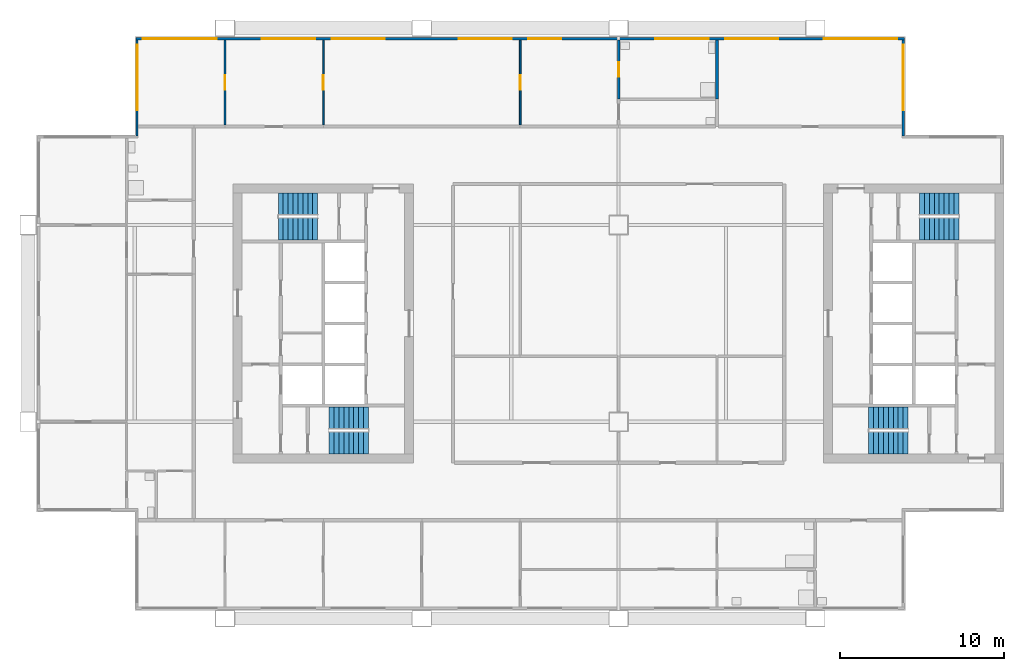
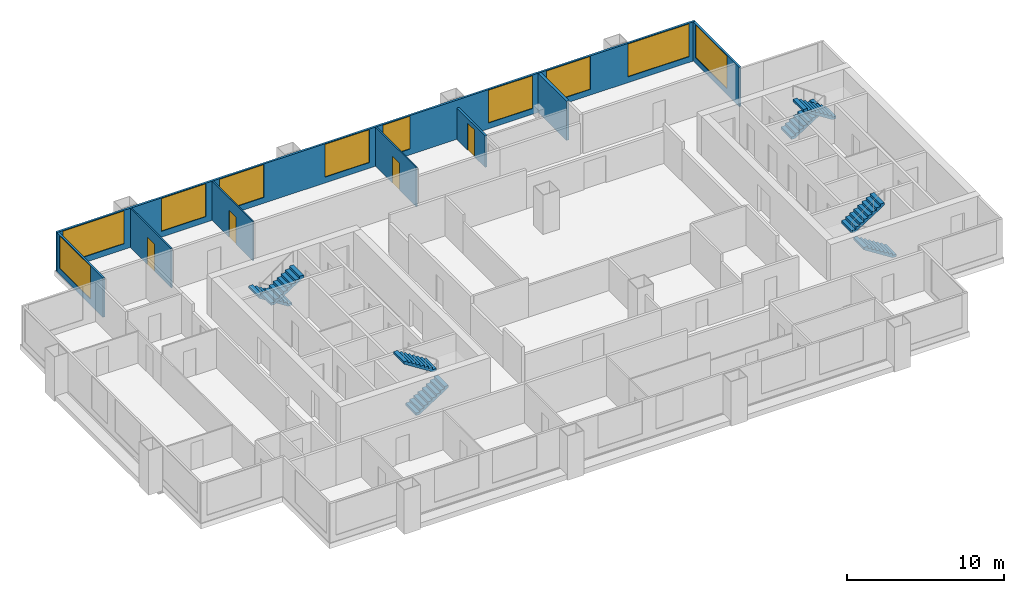
# One storey, part 6 of 8: 10 windows, 8 stair flights, 8 walls, 4 doors, 14 openings, 4 elements without a shape of their own.
"""IFC4 building model written with IfcOpenShell, lengths in metres."""

from ifc_helpers import new_model, si_unit, direction, frame, frame_2d, origin, place, context, subcontext, project, spatial, polyline, rectangle, outline, extrude, material, layer, layer_set, type_object, element, fill, aggregate, save


model = new_model("IFC4")

# Units and contexts
model_context = context("Model", 3, precision=1e-05, world=origin(), true_north=direction((0.0, 1.0)))
body_context = subcontext(model_context, "Body", "Model", "MODEL_VIEW")
ifc_project = project(units=[si_unit("LENGTHUNIT", "METRE"), si_unit("AREAUNIT", "SQUARE_METRE"), si_unit("VOLUMEUNIT", "CUBIC_METRE"), si_unit("PLANEANGLEUNIT", "RADIAN"), si_unit("MASSUNIT", "GRAM", prefix="KILO")], contexts=[model_context])

# Site, building, storey
site_placement = place(None, origin())
site = spatial("IfcSite", under=ifc_project, at=site_placement, CompositionType="ELEMENT")
building_placement = place(site_placement, origin())
building = spatial("IfcBuilding", under=site, at=building_placement, Name="Kitamizu Gate Tower and Museum", CompositionType="ELEMENT")
storey_placement = place(building_placement, frame((0.0, 0.0, 189.300048828125)))
storey = spatial("IfcBuildingStorey", under=building, at=storey_placement, Name="L50", CompositionType="ELEMENT", Elevation=189.300048828125)

# Wall, opening, door
ifc_material_1 = material(Name="Gypsum board on galvanised stud")
ifc_layer_1 = layer(ifc_material_1, 0.10009765625)
ifc_layer_set_1 = layer_set([ifc_layer_1], Name="Gypsum board on galvanised stud")
wall_type_1 = type_object("IfcWallType", Name="Partition 100 NOT RATED", PredefinedType="PARTITIONING", material=ifc_layer_set_1)
wall_1_placement = place(storey_placement, frame((12.0, 42.10009765625, 0.0), z_axis=(0.0, 0.0, 1.0), x_axis=(0.0, 1.0, 0.0)))
wall_1 = element("IfcWall", 1, at=wall_1_placement, inside=storey, type_object=wall_type_1, Name="Partition L50-023", PredefinedType="PARTITIONING", context=body_context, shape_type="SweptSolid", body=[
    extrude(rectangle(XDim=5.179931640625, YDim=0.10009765625, at=frame_2d((2.58984375, 0.0))), origin(), (0.0, 0.0, 1.0), 3.050048828125),
])
opening_1_placement = place(wall_1_placement, frame((2.139892578125, 0.0, 0.0)))
opening_1 = element("IfcOpeningElement", 2, at=opening_1_placement, cuts=wall_1, Name="Opening L50-014", PredefinedType="OPENING", context=body_context, shape_type="SweptSolid", body=[
    extrude(rectangle(XDim=0.89990234375, YDim=2.10009765625, at=frame_2d((0.449951171875, 1.050048828125))), frame((0.0, 0.06005859375, 0.0), z_axis=(0.0, -1.0, 0.0), x_axis=(1.0, 0.0, 0.0)), (0.0, 0.0, 1.0), 0.1201171875),
])
ifc_material_2 = material(Name="Timber door set", Category="wood")
door_type_1 = type_object("IfcDoorType", Name="Room door 900", OperationType="NOTDEFINED", PredefinedType="DOOR", material=ifc_material_2)
door_1_placement = place(opening_1_placement, origin())
door_1 = element("IfcDoor", 3, at=door_1_placement, inside=storey, type_object=door_type_1, Name="Door L50-014", OperationType="SINGLE_SWING_LEFT", OverallHeight=2.10009765625, OverallWidth=0.89990234375, PredefinedType="DOOR", context=body_context, shape_type="SweptSolid", body=[
    extrude(rectangle(XDim=0.89990234375, YDim=2.10009765625, at=frame_2d((0.449951171875, 1.050048828125))), frame((0.0, 0.02490234375, 0.0), z_axis=(0.0, -1.0, 0.0), x_axis=(1.0, 0.0, 0.0)), (0.0, 0.0, 1.0), 0.050048828125),
])
fill(opening_1, door_1)

wall_2_placement = place(storey_placement, frame((18.0, 42.10009765625, 0.0), z_axis=(0.0, 0.0, 1.0), x_axis=(0.0, 1.0, 0.0)))
wall_2 = element("IfcWall", 4, at=wall_2_placement, inside=storey, type_object=wall_type_1, Name="Partition L50-026", PredefinedType="PARTITIONING", context=body_context, shape_type="SweptSolid", body=[
    extrude(rectangle(XDim=5.179931640625, YDim=0.10009765625, at=frame_2d((2.58984375, 0.0))), origin(), (0.0, 0.0, 1.0), 3.050048828125),
])
opening_2_placement = place(wall_2_placement, frame((2.139892578125, 0.0, 0.0)))
opening_2 = element("IfcOpeningElement", 5, at=opening_2_placement, cuts=wall_2, Name="Opening L50-011", PredefinedType="OPENING", context=body_context, shape_type="SweptSolid", body=[
    extrude(rectangle(XDim=0.89990234375, YDim=2.10009765625, at=frame_2d((0.449951171875, 1.050048828125))), frame((0.0, 0.06005859375, 0.0), z_axis=(0.0, -1.0, 0.0), x_axis=(1.0, 0.0, 0.0)), (0.0, 0.0, 1.0), 0.1201171875),
])
door_2_placement = place(opening_2_placement, frame((0.89990234375, 0.0, 0.0), x_axis=(-1.0, 0.0, 0.0)))
door_2 = element("IfcDoor", 6, at=door_2_placement, inside=storey, type_object=door_type_1, Name="Door L50-011", OperationType="SINGLE_SWING_LEFT", OverallHeight=2.10009765625, OverallWidth=0.89990234375, PredefinedType="DOOR", context=body_context, shape_type="SweptSolid", body=[
    extrude(rectangle(XDim=0.89990234375, YDim=2.10009765625, at=frame_2d((0.449951171875, 1.050048828125))), frame((0.0, 0.02490234375, 0.0), z_axis=(0.0, -1.0, 0.0), x_axis=(1.0, 0.0, 0.0)), (0.0, 0.0, 1.0), 0.050048828125),
])
fill(opening_2, door_2)

wall_3_placement = place(storey_placement, frame((30.0, 42.10009765625, 0.0), z_axis=(0.0, 0.0, 1.0), x_axis=(0.0, 1.0, 0.0)))
wall_3 = element("IfcWall", 7, at=wall_3_placement, inside=storey, type_object=wall_type_1, Name="Partition L50-028", PredefinedType="PARTITIONING", context=body_context, shape_type="SweptSolid", body=[
    extrude(rectangle(XDim=5.179931640625, YDim=0.10009765625, at=frame_2d((2.58984375, 0.0))), origin(), (0.0, 0.0, 1.0), 3.050048828125),
])
opening_3_placement = place(wall_3_placement, frame((2.139892578125, 0.0, 0.0)))
opening_3 = element("IfcOpeningElement", 8, at=opening_3_placement, cuts=wall_3, Name="Opening L50-012", PredefinedType="OPENING", context=body_context, shape_type="SweptSolid", body=[
    extrude(rectangle(XDim=0.89990234375, YDim=2.10009765625, at=frame_2d((0.449951171875, 1.050048828125))), frame((0.0, 0.06005859375, 0.0), z_axis=(0.0, -1.0, 0.0), x_axis=(1.0, 0.0, 0.0)), (0.0, 0.0, 1.0), 0.1201171875),
])
door_3_placement = place(opening_3_placement, frame((0.89990234375, 0.0, 0.0), x_axis=(-1.0, 0.0, 0.0)))
door_3 = element("IfcDoor", 9, at=door_3_placement, inside=storey, type_object=door_type_1, Name="Door L50-012", OperationType="SINGLE_SWING_RIGHT", OverallHeight=2.10009765625, OverallWidth=0.89990234375, PredefinedType="DOOR", context=body_context, shape_type="SweptSolid", body=[
    extrude(rectangle(XDim=0.89990234375, YDim=2.10009765625, at=frame_2d((0.449951171875, 1.050048828125))), frame((0.0, 0.02490234375, 0.0), z_axis=(0.0, -1.0, 0.0), x_axis=(1.0, 0.0, 0.0)), (0.0, 0.0, 1.0), 0.050048828125),
])
fill(opening_3, door_3)

ifc_material_3 = material(Name="Gypsum board on galvanised stud")
ifc_layer_2 = layer(ifc_material_3, 0.14990234375)
ifc_layer_set_2 = layer_set([ifc_layer_2], Name="Gypsum board on galvanised stud")
wall_type_2 = type_object("IfcWallType", Name="Partition 150", PredefinedType="PARTITIONING", material=ifc_layer_set_2)
wall_4_placement = place(storey_placement, frame((36.0, 43.679931640625, 0.0), z_axis=(0.0, 0.0, 1.0), x_axis=(0.0, 1.0, 0.0)))
wall_4 = element("IfcWall", 10, at=wall_4_placement, inside=storey, type_object=wall_type_2, Name="Partition L50-030", PredefinedType="PARTITIONING", context=body_context, shape_type="SweptSolid", body=[
    extrude(rectangle(XDim=3.60009765625, YDim=0.14990234375, at=frame_2d((1.800048828125, 0.0))), origin(), (0.0, 0.0, 1.0), 2.449951171875),
])
opening_4_placement = place(wall_4_placement, frame((1.35009765625, 0.0, 0.0)))
opening_4 = element("IfcOpeningElement", 11, at=opening_4_placement, cuts=wall_4, Name="Opening L50-013", PredefinedType="OPENING", context=body_context, shape_type="SweptSolid", body=[
    extrude(rectangle(XDim=0.89990234375, YDim=2.10009765625, at=frame_2d((0.449951171875, 1.050048828125))), frame((0.0, 0.0849609375, 0.0), z_axis=(0.0, -1.0, 0.0), x_axis=(1.0, 0.0, 0.0)), (0.0, 0.0, 1.0), 0.169921875),
])
ifc_material_4 = material(Name="Timber door set", Category="wood")
door_type_2 = type_object("IfcDoorType", Name="Bathroom door 900", OperationType="NOTDEFINED", PredefinedType="DOOR", material=ifc_material_4)
door_4_placement = place(opening_4_placement, frame((0.89990234375, 0.0, 0.0), x_axis=(-1.0, 0.0, 0.0)))
door_4 = element("IfcDoor", 12, at=door_4_placement, inside=storey, type_object=door_type_2, Name="Bathroom door L50-013", OperationType="SINGLE_SWING_LEFT", OverallHeight=2.10009765625, OverallWidth=0.89990234375, PredefinedType="DOOR", context=body_context, shape_type="SweptSolid", body=[
    extrude(rectangle(XDim=0.89990234375, YDim=2.10009765625, at=frame_2d((0.449951171875, 1.050048828125))), frame((0.0, 0.02490234375, 0.0), z_axis=(0.0, -1.0, 0.0), x_axis=(1.0, 0.0, 0.0)), (0.0, 0.0, 1.0), 0.050048828125),
])
fill(opening_4, door_4)

# Wall
ifc_material_5 = material(Name="Gypsum board on galvanised stud")
ifc_layer_3 = layer(ifc_material_5, 0.199951171875)
ifc_layer_set_3 = layer_set([ifc_layer_3], Name="Gypsum board on galvanised stud")
wall_type_3 = type_object("IfcWallType", Name="Partition 200", PredefinedType="PARTITIONING", material=ifc_layer_set_3)
wall_5_placement = place(storey_placement, frame((42.0, 43.679931640625, 0.0), z_axis=(0.0, 0.0, 1.0), x_axis=(0.0, 1.0, 0.0)))
element("IfcWall", 13, at=wall_5_placement, inside=storey, type_object=wall_type_3, Name="Partition L50-034", PredefinedType="PARTITIONING", context=body_context, shape_type="SweptSolid", body=[
    extrude(rectangle(XDim=3.60009765625, YDim=0.199951171875, at=frame_2d((1.800048828125, 0.0))), origin(), (0.0, 0.0, 1.0), 3.050048828125),
])

# Wall, opening, window
ifc_material_6 = material(Name="Bronze anodised aluminium frame with insulated spandrel and tinted glass", Category="aluminium")
ifc_layer_4 = layer(ifc_material_6, 0.14990234375)
ifc_layer_set_4 = layer_set([ifc_layer_4], Name="Bronze anodised aluminium frame with insulated spandrel and tinted glass")
wall_type_4 = type_object("IfcWallType", Name="WINDOW WALL 150 BRONZE FRAME EI 30", PredefinedType="ELEMENTEDWALL", material=ifc_layer_set_4)
wall_6_placement = place(storey_placement, frame((53.364990234375, 41.43994140625, 0.0), z_axis=(0.0, 0.0, 1.0), x_axis=(0.0, 1.0, 0.0)))
wall_6 = element("IfcWall", 14, at=wall_6_placement, inside=storey, type_object=wall_type_4, Name="Window wall east L50", PredefinedType="ELEMENTEDWALL", context=body_context, shape_type="SweptSolid", body=[
    extrude(rectangle(XDim=5.85009765625, YDim=0.14990234375, at=frame_2d((2.925048828125, 0.0))), origin(), (0.0, 0.0, 1.0), 3.050048828125),
])
opening_5_placement = place(wall_6_placement, frame((1.56005859375, 0.0, 0.449951171875)))
opening_5 = element("IfcOpeningElement", 15, at=opening_5_placement, cuts=wall_6, Name="Opening W16", PredefinedType="OPENING", context=body_context, shape_type="SweptSolid", body=[
    extrude(rectangle(XDim=4.0, YDim=2.550048828125, at=frame_2d((2.0, 1.27490234375))), frame((0.0, 0.0849609375, 0.0), z_axis=(0.0, -1.0, 0.0), x_axis=(1.0, 0.0, 0.0)), (0.0, 0.0, 1.0), 0.169921875),
])
ifc_material_7 = material(Name="Bronze anodised aluminium frame, tinted triple glazing", Category="aluminium")
window_type_1 = type_object("IfcWindowType", Name="WINDOW 4000 x 2550 SILL 450", PartitioningType="SINGLE_PANEL", PredefinedType="WINDOW", material=ifc_material_7)
window_1_placement = place(opening_5_placement, origin())
window_1 = element("IfcWindow", 16, at=window_1_placement, inside=storey, type_object=window_type_1, Name="Window W16 L50", OverallHeight=2.550048828125, OverallWidth=4.0, PartitioningType="SINGLE_PANEL", PredefinedType="WINDOW", context=body_context, shape_type="SweptSolid", body=[
    extrude(rectangle(XDim=4.0, YDim=2.550048828125, at=frame_2d((2.0, 1.27490234375))), frame((0.0, 0.030029296875, 0.0), z_axis=(0.0, -1.0, 0.0), x_axis=(1.0, 0.0, 0.0)), (0.0, 0.0, 1.0), 0.06005859375),
])
fill(opening_5, window_1)

# Wall, openings, windows
wall_7_placement = place(storey_placement, frame((6.56005859375, 47.364990234375, 0.0), z_axis=(0.0, 0.0, 1.0), x_axis=(1.0, 0.0, 0.0)))
wall_7 = element("IfcWall", 17, at=wall_7_placement, inside=storey, type_object=wall_type_4, Name="Window wall north L50", PredefinedType="ELEMENTEDWALL", context=body_context, shape_type="SweptSolid", body=[
    extrude(rectangle(XDim=46.8798828125, YDim=0.14990234375, at=frame_2d((23.43994140625, 0.0))), origin(), (0.0, 0.0, 1.0), 3.050048828125),
])
opening_6_placement = place(wall_7_placement, frame((0.43994140625, 0.0, 0.449951171875)))
opening_6 = element("IfcOpeningElement", 18, at=opening_6_placement, cuts=wall_7, Name="Opening W15", PredefinedType="OPENING", context=body_context, shape_type="SweptSolid", body=[
    extrude(rectangle(XDim=4.5, YDim=2.550048828125, at=frame_2d((2.25, 1.27490234375))), frame((0.0, 0.0849609375, 0.0), z_axis=(0.0, -1.0, 0.0), x_axis=(1.0, 0.0, 0.0)), (0.0, 0.0, 1.0), 0.169921875),
])
opening_7_placement = place(wall_7_placement, frame((7.68994140625, 0.0, 0.449951171875)))
opening_7 = element("IfcOpeningElement", 19, at=opening_7_placement, cuts=wall_7, Name="Opening W34", PredefinedType="OPENING", context=body_context, shape_type="SweptSolid", body=[
    extrude(rectangle(XDim=3.25, YDim=2.550048828125, at=frame_2d((1.625, 1.27490234375))), frame((0.0, 0.0849609375, 0.0), z_axis=(0.0, -1.0, 0.0), x_axis=(1.0, 0.0, 0.0)), (0.0, 0.0, 1.0), 0.169921875),
])
opening_8_placement = place(wall_7_placement, frame((11.93994140625, 0.0, 0.449951171875)))
opening_8 = element("IfcOpeningElement", 20, at=opening_8_placement, cuts=wall_7, Name="Opening W34", PredefinedType="OPENING", context=body_context, shape_type="SweptSolid", body=[
    extrude(rectangle(XDim=3.25, YDim=2.550048828125, at=frame_2d((1.625, 1.27490234375))), frame((0.0, 0.0849609375, 0.0), z_axis=(0.0, -1.0, 0.0), x_axis=(1.0, 0.0, 0.0)), (0.0, 0.0, 1.0), 0.169921875),
])
opening_9_placement = place(wall_7_placement, frame((19.68994140625, 0.0, 0.449951171875)))
opening_9 = element("IfcOpeningElement", 21, at=opening_9_placement, cuts=wall_7, Name="Opening W34", PredefinedType="OPENING", context=body_context, shape_type="SweptSolid", body=[
    extrude(rectangle(XDim=3.25, YDim=2.550048828125, at=frame_2d((1.625, 1.27490234375))), frame((0.0, 0.0849609375, 0.0), z_axis=(0.0, -1.0, 0.0), x_axis=(1.0, 0.0, 0.0)), (0.0, 0.0, 1.0), 0.169921875),
])
opening_10_placement = place(wall_7_placement, frame((23.93994140625, 0.0, 0.449951171875)))
opening_10 = element("IfcOpeningElement", 22, at=opening_10_placement, cuts=wall_7, Name="Opening W2", PredefinedType="OPENING", context=body_context, shape_type="SweptSolid", body=[
    extrude(rectangle(XDim=2.0, YDim=2.550048828125, at=frame_2d((1.0, 1.27490234375))), frame((0.0, 0.0849609375, 0.0), z_axis=(0.0, -1.0, 0.0), x_axis=(1.0, 0.0, 0.0)), (0.0, 0.0, 1.0), 0.169921875),
])
opening_11_placement = place(wall_7_placement, frame((31.68994140625, 0.0, 0.449951171875)))
opening_11 = element("IfcOpeningElement", 23, at=opening_11_placement, cuts=wall_7, Name="Opening W34", PredefinedType="OPENING", context=body_context, shape_type="SweptSolid", body=[
    extrude(rectangle(XDim=3.25, YDim=2.550048828125, at=frame_2d((1.625, 1.27490234375))), frame((0.0, 0.0849609375, 0.0), z_axis=(0.0, -1.0, 0.0), x_axis=(1.0, 0.0, 0.0)), (0.0, 0.0, 1.0), 0.169921875),
])
opening_12_placement = place(wall_7_placement, frame((35.93994140625, 0.0, 0.449951171875)))
opening_12 = element("IfcOpeningElement", 24, at=opening_12_placement, cuts=wall_7, Name="Opening W34", PredefinedType="OPENING", context=body_context, shape_type="SweptSolid", body=[
    extrude(rectangle(XDim=3.25, YDim=2.550048828125, at=frame_2d((1.625, 1.27490234375))), frame((0.0, 0.0849609375, 0.0), z_axis=(0.0, -1.0, 0.0), x_axis=(1.0, 0.0, 0.0)), (0.0, 0.0, 1.0), 0.169921875),
])
opening_13_placement = place(wall_7_placement, frame((41.93994140625, 0.0, 0.449951171875)))
opening_13 = element("IfcOpeningElement", 25, at=opening_13_placement, cuts=wall_7, Name="Opening W15", PredefinedType="OPENING", context=body_context, shape_type="SweptSolid", body=[
    extrude(rectangle(XDim=4.5, YDim=2.550048828125, at=frame_2d((2.25, 1.27490234375))), frame((0.0, 0.0849609375, 0.0), z_axis=(0.0, -1.0, 0.0), x_axis=(1.0, 0.0, 0.0)), (0.0, 0.0, 1.0), 0.169921875),
])
ifc_material_8 = material(Name="Bronze anodised aluminium frame, tinted triple glazing", Category="aluminium")
window_type_2 = type_object("IfcWindowType", Name="WINDOW 2000 x 2550 SILL 450", PartitioningType="SINGLE_PANEL", PredefinedType="WINDOW", material=ifc_material_8)
window_2_placement = place(opening_10_placement, origin())
window_2 = element("IfcWindow", 26, at=window_2_placement, inside=storey, type_object=window_type_2, Name="Window W2 L50", OverallHeight=2.550048828125, OverallWidth=2.0, PartitioningType="SINGLE_PANEL", PredefinedType="WINDOW", context=body_context, shape_type="SweptSolid", body=[
    extrude(rectangle(XDim=2.0, YDim=2.550048828125, at=frame_2d((1.0, 1.27490234375))), frame((0.0, 0.030029296875, 0.0), z_axis=(0.0, -1.0, 0.0), x_axis=(1.0, 0.0, 0.0)), (0.0, 0.0, 1.0), 0.06005859375),
])
fill(opening_10, window_2)
ifc_material_9 = material(Name="Bronze anodised aluminium frame, tinted triple glazing", Category="aluminium")
window_type_3 = type_object("IfcWindowType", Name="WINDOW 3250 x 2550 SILL 450", PartitioningType="SINGLE_PANEL", PredefinedType="WINDOW", material=ifc_material_9)
window_3_placement = place(opening_7_placement, origin())
window_3 = element("IfcWindow", 27, at=window_3_placement, inside=storey, type_object=window_type_3, Name="Window W34 L50", OverallHeight=2.550048828125, OverallWidth=3.25, PartitioningType="SINGLE_PANEL", PredefinedType="WINDOW", context=body_context, shape_type="SweptSolid", body=[
    extrude(rectangle(XDim=3.25, YDim=2.550048828125, at=frame_2d((1.625, 1.27490234375))), frame((0.0, 0.030029296875, 0.0), z_axis=(0.0, -1.0, 0.0), x_axis=(1.0, 0.0, 0.0)), (0.0, 0.0, 1.0), 0.06005859375),
])
fill(opening_7, window_3)
window_4_placement = place(opening_8_placement, origin())
window_4 = element("IfcWindow", 28, at=window_4_placement, inside=storey, type_object=window_type_3, Name="Window W34 L50", OverallHeight=2.550048828125, OverallWidth=3.25, PartitioningType="SINGLE_PANEL", PredefinedType="WINDOW", context=body_context, shape_type="SweptSolid", body=[
    extrude(rectangle(XDim=3.25, YDim=2.550048828125, at=frame_2d((1.625, 1.27490234375))), frame((0.0, 0.030029296875, 0.0), z_axis=(0.0, -1.0, 0.0), x_axis=(1.0, 0.0, 0.0)), (0.0, 0.0, 1.0), 0.06005859375),
])
fill(opening_8, window_4)
window_5_placement = place(opening_9_placement, origin())
window_5 = element("IfcWindow", 29, at=window_5_placement, inside=storey, type_object=window_type_3, Name="Window W34 L50", OverallHeight=2.550048828125, OverallWidth=3.25, PartitioningType="SINGLE_PANEL", PredefinedType="WINDOW", context=body_context, shape_type="SweptSolid", body=[
    extrude(rectangle(XDim=3.25, YDim=2.550048828125, at=frame_2d((1.625, 1.27490234375))), frame((0.0, 0.030029296875, 0.0), z_axis=(0.0, -1.0, 0.0), x_axis=(1.0, 0.0, 0.0)), (0.0, 0.0, 1.0), 0.06005859375),
])
fill(opening_9, window_5)
window_6_placement = place(opening_11_placement, origin())
window_6 = element("IfcWindow", 30, at=window_6_placement, inside=storey, type_object=window_type_3, Name="Window W34 L50", OverallHeight=2.550048828125, OverallWidth=3.25, PartitioningType="SINGLE_PANEL", PredefinedType="WINDOW", context=body_context, shape_type="SweptSolid", body=[
    extrude(rectangle(XDim=3.25, YDim=2.550048828125, at=frame_2d((1.625, 1.27490234375))), frame((0.0, 0.030029296875, 0.0), z_axis=(0.0, -1.0, 0.0), x_axis=(1.0, 0.0, 0.0)), (0.0, 0.0, 1.0), 0.06005859375),
])
fill(opening_11, window_6)
window_7_placement = place(opening_12_placement, origin())
window_7 = element("IfcWindow", 31, at=window_7_placement, inside=storey, type_object=window_type_3, Name="Window W34 L50", OverallHeight=2.550048828125, OverallWidth=3.25, PartitioningType="SINGLE_PANEL", PredefinedType="WINDOW", context=body_context, shape_type="SweptSolid", body=[
    extrude(rectangle(XDim=3.25, YDim=2.550048828125, at=frame_2d((1.625, 1.27490234375))), frame((0.0, 0.030029296875, 0.0), z_axis=(0.0, -1.0, 0.0), x_axis=(1.0, 0.0, 0.0)), (0.0, 0.0, 1.0), 0.06005859375),
])
fill(opening_12, window_7)
ifc_material_10 = material(Name="Bronze anodised aluminium frame, tinted triple glazing", Category="aluminium")
window_type_4 = type_object("IfcWindowType", Name="WINDOW 4500 x 2550 SILL 450", PartitioningType="SINGLE_PANEL", PredefinedType="WINDOW", material=ifc_material_10)
window_8_placement = place(opening_6_placement, origin())
window_8 = element("IfcWindow", 32, at=window_8_placement, inside=storey, type_object=window_type_4, Name="Window W15 L50", OverallHeight=2.550048828125, OverallWidth=4.5, PartitioningType="SINGLE_PANEL", PredefinedType="WINDOW", context=body_context, shape_type="SweptSolid", body=[
    extrude(rectangle(XDim=4.5, YDim=2.550048828125, at=frame_2d((2.25, 1.27490234375))), frame((0.0, 0.030029296875, 0.0), z_axis=(0.0, -1.0, 0.0), x_axis=(1.0, 0.0, 0.0)), (0.0, 0.0, 1.0), 0.06005859375),
])
fill(opening_6, window_8)
window_9_placement = place(opening_13_placement, origin())
window_9 = element("IfcWindow", 33, at=window_9_placement, inside=storey, type_object=window_type_4, Name="Window W15 L50", OverallHeight=2.550048828125, OverallWidth=4.5, PartitioningType="SINGLE_PANEL", PredefinedType="WINDOW", context=body_context, shape_type="SweptSolid", body=[
    extrude(rectangle(XDim=4.5, YDim=2.550048828125, at=frame_2d((2.25, 1.27490234375))), frame((0.0, 0.030029296875, 0.0), z_axis=(0.0, -1.0, 0.0), x_axis=(1.0, 0.0, 0.0)), (0.0, 0.0, 1.0), 0.06005859375),
])
fill(opening_13, window_9)

# Wall, opening, window
wall_8_placement = place(storey_placement, frame((6.635009765625, 41.43994140625, 0.0), z_axis=(0.0, 0.0, 1.0), x_axis=(0.0, 1.0, 0.0)))
wall_8 = element("IfcWall", 34, at=wall_8_placement, inside=storey, type_object=wall_type_4, Name="Window wall west L50", PredefinedType="ELEMENTEDWALL", context=body_context, shape_type="SweptSolid", body=[
    extrude(rectangle(XDim=5.85009765625, YDim=0.14990234375, at=frame_2d((2.925048828125, 0.0))), origin(), (0.0, 0.0, 1.0), 3.050048828125),
])
opening_14_placement = place(wall_8_placement, frame((1.56005859375, 0.0, 0.449951171875)))
opening_14 = element("IfcOpeningElement", 35, at=opening_14_placement, cuts=wall_8, Name="Opening W16", PredefinedType="OPENING", context=body_context, shape_type="SweptSolid", body=[
    extrude(rectangle(XDim=4.0, YDim=2.550048828125, at=frame_2d((2.0, 1.27490234375))), frame((0.0, 0.0849609375, 0.0), z_axis=(0.0, -1.0, 0.0), x_axis=(1.0, 0.0, 0.0)), (0.0, 0.0, 1.0), 0.169921875),
])
window_10_placement = place(opening_14_placement, origin())
window_10 = element("IfcWindow", 36, at=window_10_placement, inside=storey, type_object=window_type_1, Name="Window W16 L50", OverallHeight=2.550048828125, OverallWidth=4.0, PartitioningType="SINGLE_PANEL", PredefinedType="WINDOW", context=body_context, shape_type="SweptSolid", body=[
    extrude(rectangle(XDim=4.0, YDim=2.550048828125, at=frame_2d((2.0, 1.27490234375))), frame((0.0, 0.030029296875, 0.0), z_axis=(0.0, -1.0, 0.0), x_axis=(1.0, 0.0, 0.0)), (0.0, 0.0, 1.0), 0.06005859375),
])
fill(opening_14, window_10)

# Stair, stair flights
ifc_material_11 = material(Name="Concrete Fc42", Category="concrete")
stair_type = type_object("IfcStairType", Name="Exit stair 1325 wide 192 rise 300 going", PredefinedType="HALF_TURN_STAIR", material=ifc_material_11)
stair_1_placement = place(storey_placement, origin())
stair_1 = element("IfcStair", 37, at=stair_1_placement, inside=storey, type_object=stair_type, Name="Exit stair ST1", PredefinedType="HALF_TURN_STAIR")
ifc_material_12 = material(Name="Concrete Fc42", Category="concrete")
stair_flight_type = type_object("IfcStairFlightType", Name="Stair flight 1325 wide 192 rise 300 going", PredefinedType="STRAIGHT", material=ifc_material_12)
stair_flight_1_placement = place(storey_placement, frame((18.35009765625, 22.71240234375, 0.0), z_axis=(0.0, 0.0, 1.0), x_axis=(1.0, 0.0, 0.0)))
stair_flight_1 = element("IfcStairFlight", 38, at=stair_flight_1_placement, type_object=stair_flight_type, Name="ST1 flight 1", NumberOfRisers=9, NumberOfTreads=8, PredefinedType="STRAIGHT", RiserHeight=0.191666667, TreadLength=0.3, context=body_context, shape_type="SweptSolid", body=[
    extrude(outline(polyline([(0.0, 0.0), (0.0, 0.191650390625), (0.300048828125, 0.191650390625), (0.300048828125, 0.38330078125), (0.60009765625, 0.38330078125), (0.60009765625, 0.574951171875), (0.89990234375, 0.574951171875), (0.89990234375, 0.7666015625), (1.199951171875, 0.7666015625), (1.199951171875, 0.958251953125), (1.5, 0.958251953125), (1.5, 1.14990234375), (1.800048828125, 1.14990234375), (1.800048828125, 1.341552734375), (2.10009765625, 1.341552734375), (2.10009765625, 1.533447265625), (2.39990234375, 1.533447265625), (2.39990234375, 1.72509765625), (2.39990234375, 1.35546875), (0.2783203125, 0.0), (0.0, 0.0)])), frame((0.0, 0.66259765625, 0.0), z_axis=(0.0, -1.0, 0.0), x_axis=(1.0, 0.0, 0.0)), (0.0, 0.0, 1.0), 1.324951171875),
])
stair_flight_2_placement = place(storey_placement, frame((20.75, 24.237548828125, 1.724853515625), z_axis=(0.0, 0.0, 1.0), x_axis=(-1.0, 0.0, 0.0)))
stair_flight_2 = element("IfcStairFlight", 39, at=stair_flight_2_placement, type_object=stair_flight_type, Name="ST1 flight 2", NumberOfRisers=9, NumberOfTreads=8, PredefinedType="STRAIGHT", RiserHeight=0.191666667, TreadLength=0.3, context=body_context, shape_type="SweptSolid", body=[
    extrude(outline(polyline([(0.0, 0.0), (0.0, 0.191650390625), (0.300048828125, 0.191650390625), (0.300048828125, 0.38330078125), (0.60009765625, 0.38330078125), (0.60009765625, 0.574951171875), (0.89990234375, 0.574951171875), (0.89990234375, 0.7666015625), (1.199951171875, 0.7666015625), (1.199951171875, 0.958251953125), (1.5, 0.958251953125), (1.5, 1.14990234375), (1.800048828125, 1.14990234375), (1.800048828125, 1.341552734375), (2.10009765625, 1.341552734375), (2.10009765625, 1.533447265625), (2.39990234375, 1.533447265625), (2.39990234375, 1.72509765625), (2.39990234375, 1.35546875), (0.2783203125, 0.0), (0.0, 0.0)])), frame((0.0, 0.66259765625, 0.0), z_axis=(0.0, -1.0, 0.0), x_axis=(1.0, 0.0, 0.0)), (0.0, 0.0, 1.0), 1.324951171875),
])
aggregate(stair_1, [stair_flight_1, stair_flight_2])

stair_2_placement = place(storey_placement, origin())
stair_2 = element("IfcStair", 40, at=stair_2_placement, inside=storey, type_object=stair_type, Name="Exit stair ST2", PredefinedType="HALF_TURN_STAIR")
stair_flight_3_placement = place(storey_placement, frame((17.64990234375, 37.28759765625, 0.0), z_axis=(0.0, 0.0, 1.0), x_axis=(-1.0, 0.0, 0.0)))
stair_flight_3 = element("IfcStairFlight", 41, at=stair_flight_3_placement, type_object=stair_flight_type, Name="ST2 flight 1", NumberOfRisers=9, NumberOfTreads=8, PredefinedType="STRAIGHT", RiserHeight=0.191666667, TreadLength=0.3, context=body_context, shape_type="SweptSolid", body=[
    extrude(outline(polyline([(0.0, 0.0), (0.0, 0.191650390625), (0.300048828125, 0.191650390625), (0.300048828125, 0.38330078125), (0.60009765625, 0.38330078125), (0.60009765625, 0.574951171875), (0.89990234375, 0.574951171875), (0.89990234375, 0.7666015625), (1.199951171875, 0.7666015625), (1.199951171875, 0.958251953125), (1.5, 0.958251953125), (1.5, 1.14990234375), (1.800048828125, 1.14990234375), (1.800048828125, 1.341552734375), (2.10009765625, 1.341552734375), (2.10009765625, 1.533447265625), (2.39990234375, 1.533447265625), (2.39990234375, 1.72509765625), (2.39990234375, 1.35546875), (0.2783203125, 0.0), (0.0, 0.0)])), frame((0.0, 0.66259765625, 0.0), z_axis=(0.0, -1.0, 0.0), x_axis=(1.0, 0.0, 0.0)), (0.0, 0.0, 1.0), 1.324951171875),
])
stair_flight_4_placement = place(storey_placement, frame((15.25, 35.762451171875, 1.724853515625), z_axis=(0.0, 0.0, 1.0), x_axis=(1.0, 0.0, 0.0)))
stair_flight_4 = element("IfcStairFlight", 42, at=stair_flight_4_placement, type_object=stair_flight_type, Name="ST2 flight 2", NumberOfRisers=9, NumberOfTreads=8, PredefinedType="STRAIGHT", RiserHeight=0.191666667, TreadLength=0.3, context=body_context, shape_type="SweptSolid", body=[
    extrude(outline(polyline([(0.0, 0.0), (0.0, 0.191650390625), (0.300048828125, 0.191650390625), (0.300048828125, 0.38330078125), (0.60009765625, 0.38330078125), (0.60009765625, 0.574951171875), (0.89990234375, 0.574951171875), (0.89990234375, 0.7666015625), (1.199951171875, 0.7666015625), (1.199951171875, 0.958251953125), (1.5, 0.958251953125), (1.5, 1.14990234375), (1.800048828125, 1.14990234375), (1.800048828125, 1.341552734375), (2.10009765625, 1.341552734375), (2.10009765625, 1.533447265625), (2.39990234375, 1.533447265625), (2.39990234375, 1.72509765625), (2.39990234375, 1.35546875), (0.2783203125, 0.0), (0.0, 0.0)])), frame((0.0, 0.66259765625, 0.0), z_axis=(0.0, -1.0, 0.0), x_axis=(1.0, 0.0, 0.0)), (0.0, 0.0, 1.0), 1.324951171875),
])
aggregate(stair_2, [stair_flight_3, stair_flight_4])

stair_3_placement = place(storey_placement, origin())
stair_3 = element("IfcStair", 43, at=stair_3_placement, inside=storey, type_object=stair_type, Name="Exit stair ST3", PredefinedType="HALF_TURN_STAIR")
stair_flight_5_placement = place(storey_placement, frame((53.64990234375, 22.71240234375, 0.0), z_axis=(0.0, 0.0, 1.0), x_axis=(-1.0, 0.0, 0.0)))
stair_flight_5 = element("IfcStairFlight", 44, at=stair_flight_5_placement, type_object=stair_flight_type, Name="ST3 flight 1", NumberOfRisers=9, NumberOfTreads=8, PredefinedType="STRAIGHT", RiserHeight=0.191666667, TreadLength=0.3, context=body_context, shape_type="SweptSolid", body=[
    extrude(outline(polyline([(0.0, 0.0), (0.0, 0.191650390625), (0.300048828125, 0.191650390625), (0.300048828125, 0.38330078125), (0.60009765625, 0.38330078125), (0.60009765625, 0.574951171875), (0.89990234375, 0.574951171875), (0.89990234375, 0.7666015625), (1.199951171875, 0.7666015625), (1.199951171875, 0.958251953125), (1.5, 0.958251953125), (1.5, 1.14990234375), (1.800048828125, 1.14990234375), (1.800048828125, 1.341552734375), (2.10009765625, 1.341552734375), (2.10009765625, 1.533447265625), (2.39990234375, 1.533447265625), (2.39990234375, 1.72509765625), (2.39990234375, 1.35546875), (0.2783203125, 0.0), (0.0, 0.0)])), frame((0.0, 0.66259765625, 0.0), z_axis=(0.0, -1.0, 0.0), x_axis=(1.0, 0.0, 0.0)), (0.0, 0.0, 1.0), 1.324951171875),
])
stair_flight_6_placement = place(storey_placement, frame((51.25, 24.237548828125, 1.724853515625), z_axis=(0.0, 0.0, 1.0), x_axis=(1.0, 0.0, 0.0)))
stair_flight_6 = element("IfcStairFlight", 45, at=stair_flight_6_placement, type_object=stair_flight_type, Name="ST3 flight 2", NumberOfRisers=9, NumberOfTreads=8, PredefinedType="STRAIGHT", RiserHeight=0.191666667, TreadLength=0.3, context=body_context, shape_type="SweptSolid", body=[
    extrude(outline(polyline([(0.0, 0.0), (0.0, 0.191650390625), (0.300048828125, 0.191650390625), (0.300048828125, 0.38330078125), (0.60009765625, 0.38330078125), (0.60009765625, 0.574951171875), (0.89990234375, 0.574951171875), (0.89990234375, 0.7666015625), (1.199951171875, 0.7666015625), (1.199951171875, 0.958251953125), (1.5, 0.958251953125), (1.5, 1.14990234375), (1.800048828125, 1.14990234375), (1.800048828125, 1.341552734375), (2.10009765625, 1.341552734375), (2.10009765625, 1.533447265625), (2.39990234375, 1.533447265625), (2.39990234375, 1.72509765625), (2.39990234375, 1.35546875), (0.2783203125, 0.0), (0.0, 0.0)])), frame((0.0, 0.66259765625, 0.0), z_axis=(0.0, -1.0, 0.0), x_axis=(1.0, 0.0, 0.0)), (0.0, 0.0, 1.0), 1.324951171875),
])
aggregate(stair_3, [stair_flight_5, stair_flight_6])

stair_4_placement = place(storey_placement, origin())
stair_4 = element("IfcStair", 46, at=stair_4_placement, inside=storey, type_object=stair_type, Name="Exit stair ST4", PredefinedType="HALF_TURN_STAIR")
stair_flight_7_placement = place(storey_placement, frame((54.35009765625, 37.28759765625, 0.0), z_axis=(0.0, 0.0, 1.0), x_axis=(1.0, 0.0, 0.0)))
stair_flight_7 = element("IfcStairFlight", 47, at=stair_flight_7_placement, type_object=stair_flight_type, Name="ST4 flight 1", NumberOfRisers=9, NumberOfTreads=8, PredefinedType="STRAIGHT", RiserHeight=0.191666667, TreadLength=0.3, context=body_context, shape_type="SweptSolid", body=[
    extrude(outline(polyline([(0.0, 0.0), (0.0, 0.191650390625), (0.300048828125, 0.191650390625), (0.300048828125, 0.38330078125), (0.60009765625, 0.38330078125), (0.60009765625, 0.574951171875), (0.89990234375, 0.574951171875), (0.89990234375, 0.7666015625), (1.199951171875, 0.7666015625), (1.199951171875, 0.958251953125), (1.5, 0.958251953125), (1.5, 1.14990234375), (1.800048828125, 1.14990234375), (1.800048828125, 1.341552734375), (2.10009765625, 1.341552734375), (2.10009765625, 1.533447265625), (2.39990234375, 1.533447265625), (2.39990234375, 1.72509765625), (2.39990234375, 1.35546875), (0.2783203125, 0.0), (0.0, 0.0)])), frame((0.0, 0.66259765625, 0.0), z_axis=(0.0, -1.0, 0.0), x_axis=(1.0, 0.0, 0.0)), (0.0, 0.0, 1.0), 1.324951171875),
])
stair_flight_8_placement = place(storey_placement, frame((56.75, 35.762451171875, 1.724853515625), z_axis=(0.0, 0.0, 1.0), x_axis=(-1.0, 0.0, 0.0)))
stair_flight_8 = element("IfcStairFlight", 48, at=stair_flight_8_placement, type_object=stair_flight_type, Name="ST4 flight 2", NumberOfRisers=9, NumberOfTreads=8, PredefinedType="STRAIGHT", RiserHeight=0.191666667, TreadLength=0.3, context=body_context, shape_type="SweptSolid", body=[
    extrude(outline(polyline([(0.0, 0.0), (0.0, 0.191650390625), (0.300048828125, 0.191650390625), (0.300048828125, 0.38330078125), (0.60009765625, 0.38330078125), (0.60009765625, 0.574951171875), (0.89990234375, 0.574951171875), (0.89990234375, 0.7666015625), (1.199951171875, 0.7666015625), (1.199951171875, 0.958251953125), (1.5, 0.958251953125), (1.5, 1.14990234375), (1.800048828125, 1.14990234375), (1.800048828125, 1.341552734375), (2.10009765625, 1.341552734375), (2.10009765625, 1.533447265625), (2.39990234375, 1.533447265625), (2.39990234375, 1.72509765625), (2.39990234375, 1.35546875), (0.2783203125, 0.0), (0.0, 0.0)])), frame((0.0, 0.66259765625, 0.0), z_axis=(0.0, -1.0, 0.0), x_axis=(1.0, 0.0, 0.0)), (0.0, 0.0, 1.0), 1.324951171875),
])
aggregate(stair_4, [stair_flight_7, stair_flight_8])

save(model, "model.ifc")
